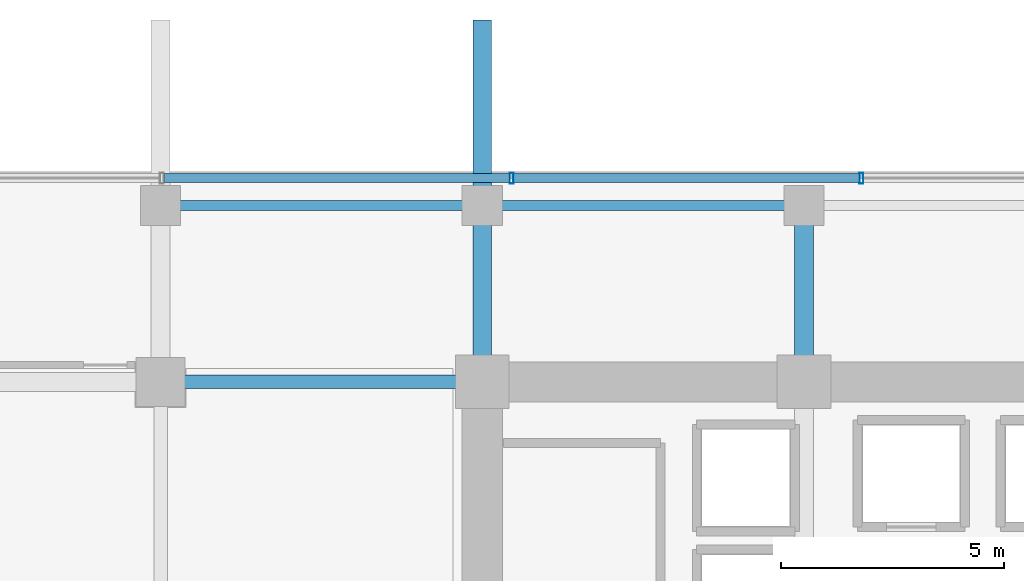
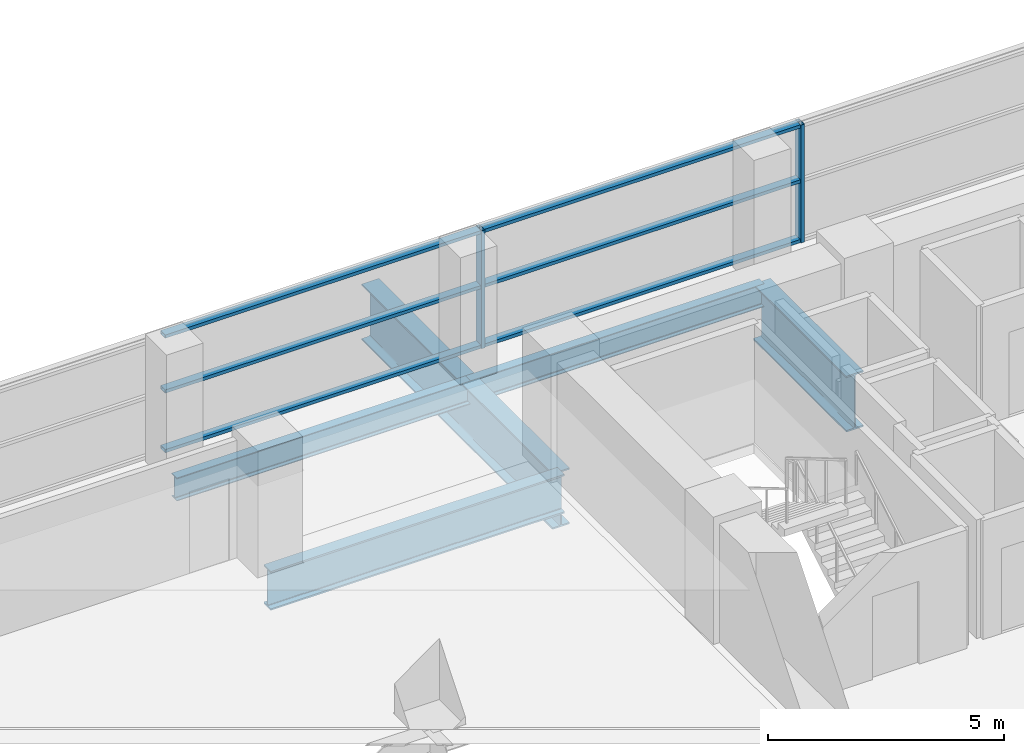
# One storey, part 18 of 32: 8 members, 5 beams, 1 element without a shape of its own.
"""IFC4 building model written with IfcOpenShell, lengths in metres."""

from ifc_helpers import new_model, si_unit, direction, frame, origin, origin_2d, place, context, subcontext, project, spatial, hollow_rectangle, i_section, extrude, source, transform, mapped, material, layer, layer_set, material_profile, profile_set, type_object, element, aggregate, save


model = new_model("IFC4")

# Units and contexts
model_context = context("Model", 3, precision=1e-05, world=origin(), true_north=direction((0.0, 1.0)))
body_context = subcontext(model_context, "Body", "Model", "MODEL_VIEW")
ifc_project = project(units=[si_unit("LENGTHUNIT", "METRE"), si_unit("AREAUNIT", "SQUARE_METRE"), si_unit("VOLUMEUNIT", "CUBIC_METRE"), si_unit("PLANEANGLEUNIT", "RADIAN"), si_unit("MASSUNIT", "GRAM", prefix="KILO")], contexts=[model_context])

# Site, building, storey
site_placement = place(None, origin())
site = spatial("IfcSite", under=ifc_project, at=site_placement, CompositionType="ELEMENT")
building_placement = place(site_placement, origin())
building = spatial("IfcBuilding", under=site, at=building_placement, Name="Zarnakvel Exchange Tower", CompositionType="ELEMENT")
storey_placement = place(building_placement, frame((0.0, 0.0, 27.39990234375)))
storey = spatial("IfcBuildingStorey", under=building, at=storey_placement, Name="L06", CompositionType="ELEMENT", Elevation=27.39990234375)

# Beams
ifc_material_1 = material(Name="Steel S355", Category="steel")
ifc_material_profile_1 = material_profile(ifc_material_1, i_section(OverallWidth=0.219970703125, OverallDepth=0.60009765625, WebThickness=0.011962890625, FlangeThickness=0.01904296875, FilletRadius=0.02392578125, at=origin_2d()))
ifc_profile_set_1 = profile_set([ifc_material_profile_1], Name="Steel S355")
beam_type_1 = type_object("IfcBeamType", Name="SP-01", PredefinedType="SPANDREL", material=ifc_profile_set_1)
beam_1_placement = place(storey_placement, frame((-21.60009765625, 17.449951171875, -0.5498046875), z_axis=(1.0, 0.0, 0.0), x_axis=(0.0, 1.0, 0.0)))
element("IfcBeam", 1, at=beam_1_placement, inside=storey, type_object=beam_type_1, Name="L06 Tower E-W Frame Beam", PredefinedType="SPANDREL", context=body_context, shape_type="SweptSolid", body=[
    extrude(i_section(OverallWidth=0.219970703125, OverallDepth=0.60009765625, WebThickness=0.011962890625, FlangeThickness=0.01904296875, FilletRadius=0.02392578125, at=origin_2d()), origin(), (0.0, 0.0, 1.0), 7.2001953125),
])
beam_2_placement = place(storey_placement, frame((-14.39990234375, 17.449951171875, -0.5498046875), z_axis=(1.0, 0.0, 0.0), x_axis=(0.0, 1.0, 0.0)))
element("IfcBeam", 2, at=beam_2_placement, inside=storey, type_object=beam_type_1, Name="L06 Tower E-W Frame Beam", PredefinedType="SPANDREL", context=body_context, shape_type="SweptSolid", body=[
    extrude(i_section(OverallWidth=0.219970703125, OverallDepth=0.60009765625, WebThickness=0.011962890625, FlangeThickness=0.01904296875, FilletRadius=0.02392578125, at=origin_2d()), origin(), (0.0, 0.0, 1.0), 7.199951171875),
])
ifc_material_2 = material(Name="Steel S460", Category="steel")
ifc_material_profile_2 = material_profile(ifc_material_2, i_section(OverallWidth=0.419921875, OverallDepth=1.449951171875, WebThickness=0.02392578125, FlangeThickness=0.0400390625, FilletRadius=0.030029296875, at=origin_2d()))
ifc_profile_set_2 = profile_set([ifc_material_profile_2], Name="Steel S460")
beam_type_2 = type_object("IfcBeamType", Name="TG-01", PredefinedType="BEAM", material=ifc_profile_set_2)
beam_3_placement = place(storey_placement, frame((-14.39990234375, 13.5, -0.974853515625), z_axis=(0.0, 1.0, 0.0), x_axis=(-1.0, 0.0, 0.0)))
element("IfcBeam", 3, at=beam_3_placement, inside=storey, type_object=beam_type_2, Name="L06 Setback N-S Transfer Girder TN-4", PredefinedType="BEAM", context=body_context, shape_type="SweptSolid", body=[
    extrude(i_section(OverallWidth=0.419921875, OverallDepth=1.449951171875, WebThickness=0.02392578125, FlangeThickness=0.0400390625, FilletRadius=0.030029296875, at=origin_2d()), origin(), (0.0, 0.0, 1.0), 8.10009765625),
])
beam_4_placement = place(storey_placement, frame((-7.199951171875, 13.5, -0.974853515625), z_axis=(0.0, 1.0, 0.0), x_axis=(-1.0, 0.0, 0.0)))
element("IfcBeam", 4, at=beam_4_placement, inside=storey, type_object=beam_type_2, Name="L06 North Cantilever Transfer TN-5", PredefinedType="BEAM", context=body_context, shape_type="SweptSolid", body=[
    extrude(i_section(OverallWidth=0.419921875, OverallDepth=1.449951171875, WebThickness=0.02392578125, FlangeThickness=0.0400390625, FilletRadius=0.030029296875, at=origin_2d()), origin(), (0.0, 0.0, 1.0), 3.949951171875),
])
ifc_material_profile_3 = material_profile(ifc_material_2, i_section(OverallWidth=0.302001953125, OverallDepth=1.008056640625, WebThickness=0.02099609375, FlangeThickness=0.0400390625, FilletRadius=0.030029296875, at=origin_2d()))
ifc_profile_set_3 = profile_set([ifc_material_profile_3], Name="Steel S460")
beam_type_3 = type_object("IfcBeamType", Name="TG-05", PredefinedType="BEAM", material=ifc_profile_set_3)
beam_5_placement = place(storey_placement, frame((-21.60009765625, 13.5, -0.75390625), z_axis=(1.0, 0.0, 0.0), x_axis=(0.0, 1.0, 0.0)))
element("IfcBeam", 5, at=beam_5_placement, inside=storey, type_object=beam_type_3, Name="L06 Podium Collector Girder TG-05", PredefinedType="BEAM", context=body_context, shape_type="SweptSolid", body=[
    extrude(i_section(OverallWidth=0.302001953125, OverallDepth=1.008056640625, WebThickness=0.02099609375, FlangeThickness=0.0400390625, FilletRadius=0.030029296875, at=origin_2d()), origin(), (0.0, 0.0, 1.0), 7.2001953125),
])

# Curtain wall, members
ifc_material_3 = material(Name="Architectural Bronze Anodised Aluminium", Category="aluminium")
ifc_layer = layer(ifc_material_3, 0.239990234375)
ifc_layer_set = layer_set([ifc_layer], Name="Architectural Bronze Anodised Aluminium")
curtain_wall_type = type_object("IfcCurtainWallType", Name="CW-02", PredefinedType="NOTDEFINED", material=ifc_layer_set)
curtain_wall_placement = place(storey_placement, origin())
curtain_wall = element("IfcCurtainWall", 6, at=curtain_wall_placement, inside=storey, type_object=curtain_wall_type, Name="L06 Curtain Wall CW-L06-N1 (CW-02)", PredefinedType="NOTDEFINED")
ifc_material_profile_4 = material_profile(ifc_material_3, hollow_rectangle(XDim=0.239990234375, YDim=0.090087890625, WallThickness=0.006103515625, at=origin_2d()))
ifc_profile_set_4 = profile_set([ifc_material_profile_4], Name="Architectural Bronze Anodised Aluminium")
member_type_1 = type_object("IfcMemberType", Name="CWM-02", PredefinedType="MULLION", material=ifc_profile_set_4)
shared_shape_1 = source(origin(), body_context, "Body", "SweptSolid", [
    extrude(hollow_rectangle(XDim=0.239990234375, YDim=0.090087890625, WallThickness=0.006103515625, at=origin_2d()), origin(), (0.0, 0.0, 1.0), 3.05517578125),
])
member_1_placement = place(storey_placement, frame((-13.742919921875, 18.06005859375, 0.0), z_axis=(0.0, 0.0, 1.0), x_axis=(0.0, 1.0, 0.0)))
member_1 = element("IfcMember", 7, at=member_1_placement, type_object=member_type_1, Name="CW-02 mullion 3", PredefinedType="MULLION", context=body_context, shape_type="MappedRepresentation", body=[
    mapped(shared_shape_1, transform((0.0, 0.0, 0.0), x_axis=(1.0, 0.0, 0.0), y_axis=(0.0, 1.0, 0.0), z_axis=(0.0, 0.0, 1.0), scale=1.0)),
])
member_2_placement = place(storey_placement, frame((-5.914306640625, 18.06005859375, 0.0), z_axis=(0.0, 0.0, 1.0), x_axis=(0.0, 1.0, 0.0)))
member_2 = element("IfcMember", 8, at=member_2_placement, type_object=member_type_1, Name="CW-02 mullion 4", PredefinedType="MULLION", context=body_context, shape_type="MappedRepresentation", body=[
    mapped(shared_shape_1, transform((0.0, 0.0, 0.0), x_axis=(1.0, 0.0, 0.0), y_axis=(0.0, 1.0, 0.0), z_axis=(0.0, 0.0, 1.0), scale=1.0)),
])
ifc_material_profile_5 = material_profile(ifc_material_3, hollow_rectangle(XDim=0.199951171875, YDim=0.0849609375, WallThickness=0.0048828125, at=origin_2d()))
ifc_profile_set_5 = profile_set([ifc_material_profile_5], Name="Architectural Bronze Anodised Aluminium")
member_type_2 = type_object("IfcMemberType", Name="CWT-02", PredefinedType="USERDEFINED", material=ifc_profile_set_5)
shared_shape_2 = source(origin(), body_context, "Body", "SweptSolid", [
    extrude(hollow_rectangle(XDim=0.199951171875, YDim=0.0849609375, WallThickness=0.0048828125, at=origin_2d()), origin(), (0.0, 0.0, 1.0), 7.738525390625),
])
member_3_placement = place(storey_placement, frame((-21.5263671875, 18.06005859375, 0.04248046875), z_axis=(1.0, 0.0, 0.0), x_axis=(0.0, 1.0, 0.0)))
member_3 = element("IfcMember", 9, at=member_3_placement, type_object=member_type_2, Name="CW-02 transom 2.1", ObjectType="TRANSOM", PredefinedType="USERDEFINED", context=body_context, shape_type="MappedRepresentation", body=[
    mapped(shared_shape_2, transform((0.0, 0.0, 0.0), x_axis=(1.0, 0.0, 0.0), y_axis=(0.0, 1.0, 0.0), z_axis=(0.0, 0.0, 1.0), scale=1.0)),
])
member_4_placement = place(storey_placement, frame((-21.5263671875, 18.06005859375, 1.588623046875), z_axis=(1.0, 0.0, 0.0), x_axis=(0.0, 1.0, 0.0)))
member_4 = element("IfcMember", 10, at=member_4_placement, type_object=member_type_2, Name="CW-02 transom 2.2", ObjectType="TRANSOM", PredefinedType="USERDEFINED", context=body_context, shape_type="MappedRepresentation", body=[
    mapped(shared_shape_2, transform((0.0, 0.0, 0.0), x_axis=(1.0, 0.0, 0.0), y_axis=(0.0, 1.0, 0.0), z_axis=(0.0, 0.0, 1.0), scale=1.0)),
])
member_5_placement = place(storey_placement, frame((-21.5263671875, 18.06005859375, 3.0126953125), z_axis=(1.0, 0.0, 0.0), x_axis=(0.0, 1.0, 0.0)))
member_5 = element("IfcMember", 11, at=member_5_placement, type_object=member_type_2, Name="CW-02 transom 2.3", ObjectType="TRANSOM", PredefinedType="USERDEFINED", context=body_context, shape_type="MappedRepresentation", body=[
    mapped(shared_shape_2, transform((0.0, 0.0, 0.0), x_axis=(1.0, 0.0, 0.0), y_axis=(0.0, 1.0, 0.0), z_axis=(0.0, 0.0, 1.0), scale=1.0)),
])
member_6_placement = place(storey_placement, frame((-13.69775390625, 18.06005859375, 0.04248046875), z_axis=(1.0, 0.0, 0.0), x_axis=(0.0, 1.0, 0.0)))
member_6 = element("IfcMember", 12, at=member_6_placement, type_object=member_type_2, Name="CW-02 transom 3.1", ObjectType="TRANSOM", PredefinedType="USERDEFINED", context=body_context, shape_type="MappedRepresentation", body=[
    mapped(shared_shape_2, transform((0.0, 0.0, 0.0), x_axis=(1.0, 0.0, 0.0), y_axis=(0.0, 1.0, 0.0), z_axis=(0.0, 0.0, 1.0), scale=1.0)),
])
member_7_placement = place(storey_placement, frame((-13.69775390625, 18.06005859375, 1.588623046875), z_axis=(1.0, 0.0, 0.0), x_axis=(0.0, 1.0, 0.0)))
member_7 = element("IfcMember", 13, at=member_7_placement, type_object=member_type_2, Name="CW-02 transom 3.2", ObjectType="TRANSOM", PredefinedType="USERDEFINED", context=body_context, shape_type="MappedRepresentation", body=[
    mapped(shared_shape_2, transform((0.0, 0.0, 0.0), x_axis=(1.0, 0.0, 0.0), y_axis=(0.0, 1.0, 0.0), z_axis=(0.0, 0.0, 1.0), scale=1.0)),
])
member_8_placement = place(storey_placement, frame((-13.69775390625, 18.06005859375, 3.0126953125), z_axis=(1.0, 0.0, 0.0), x_axis=(0.0, 1.0, 0.0)))
member_8 = element("IfcMember", 14, at=member_8_placement, type_object=member_type_2, Name="CW-02 transom 3.3", ObjectType="TRANSOM", PredefinedType="USERDEFINED", context=body_context, shape_type="MappedRepresentation", body=[
    mapped(shared_shape_2, transform((0.0, 0.0, 0.0), x_axis=(1.0, 0.0, 0.0), y_axis=(0.0, 1.0, 0.0), z_axis=(0.0, 0.0, 1.0), scale=1.0)),
])
aggregate(curtain_wall, [member_1, member_2, member_3, member_4, member_5, member_6, member_7, member_8])

save(model, "model.ifc")
